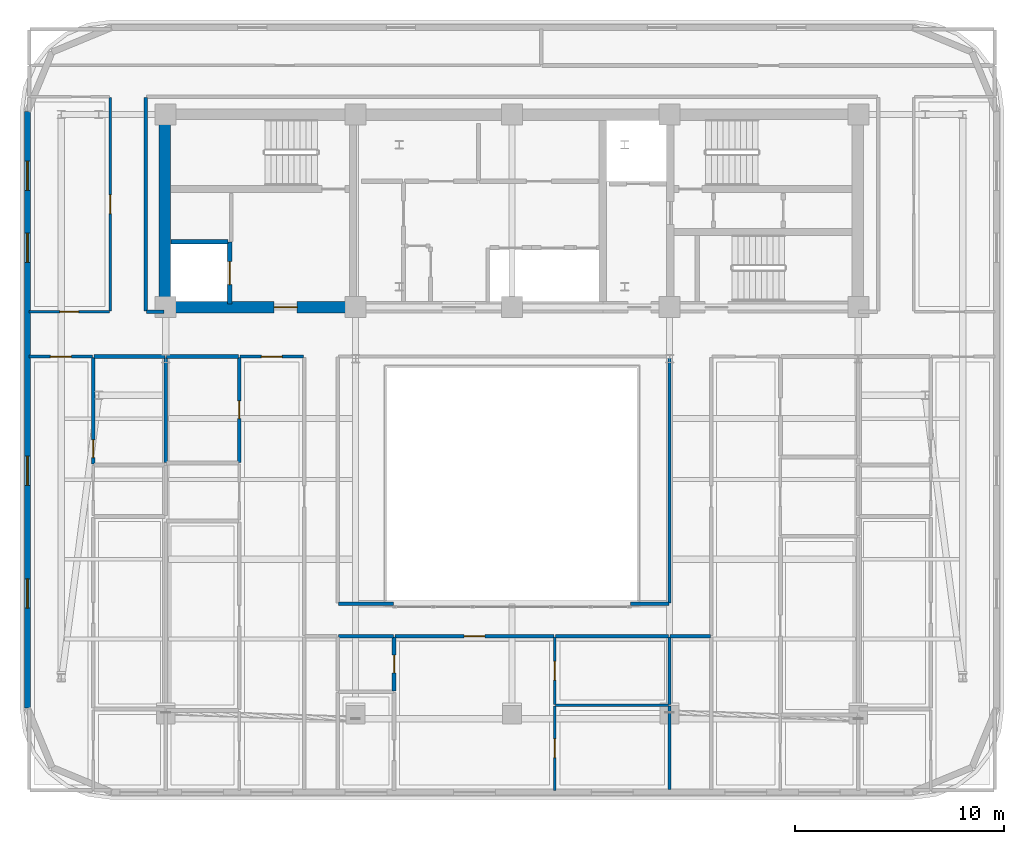
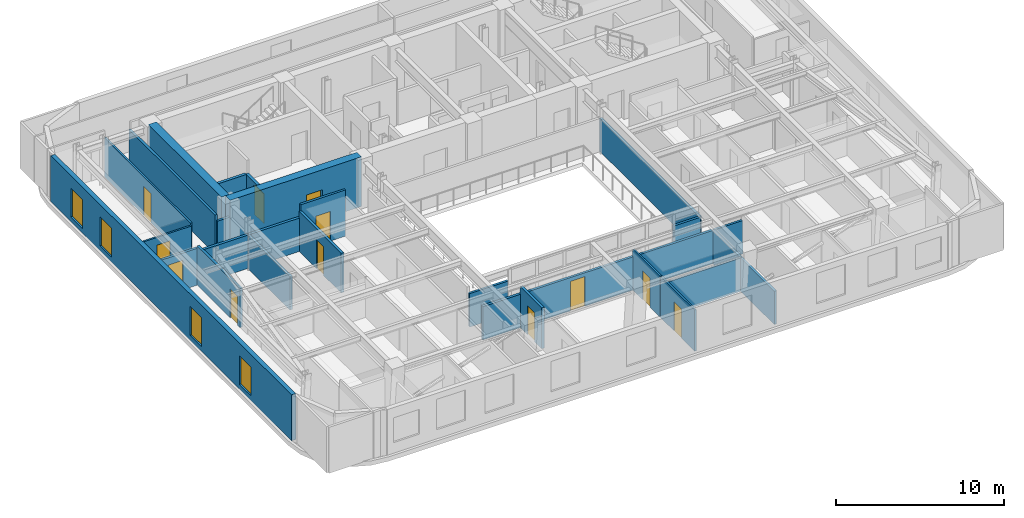
# One storey, part 7 of 15: 29 walls, 12 doors, 4 windows, 16 openings.
"""IFC4 building model written with IfcOpenShell, lengths in metres."""

from ifc_helpers import new_model, si_unit, direction, frame, frame_2d, origin, place, context, subcontext, project, spatial, rectangle, extrude, material, layer, layer_set, type_object, element, fill, save


model = new_model("IFC4")

# Units and contexts
model_context = context("Model", 3, precision=1e-05, world=origin(), true_north=direction((0.0, 1.0)))
body_context = subcontext(model_context, "Body", "Model", "MODEL_VIEW")
ifc_project = project(units=[si_unit("LENGTHUNIT", "METRE"), si_unit("AREAUNIT", "SQUARE_METRE"), si_unit("VOLUMEUNIT", "CUBIC_METRE"), si_unit("PLANEANGLEUNIT", "RADIAN"), si_unit("MASSUNIT", "GRAM", prefix="KILO")], contexts=[model_context])

# Site, building, storey
site_placement = place(None, origin())
site = spatial("IfcSite", under=ifc_project, at=site_placement, CompositionType="ELEMENT")
building_placement = place(site_placement, origin())
building = spatial("IfcBuilding", under=site, at=building_placement, Name="Zarnavel Station Tower", CompositionType="ELEMENT")
storey_placement = place(building_placement, frame((0.0, 0.0, 196.800048828125)))
storey = spatial("IfcBuildingStorey", under=building, at=storey_placement, Name="L53", CompositionType="ELEMENT", Elevation=196.800048828125)

# Wall, opening, door
ifc_material_1 = material(Name="Concrete C50/60", Category="concrete")
ifc_layer_1 = layer(ifc_material_1, 0.550048828125)
ifc_layer_set_1 = layer_set([ifc_layer_1], Name="CW_550")
wall_type_1 = type_object("IfcWallType", Name="CW_550", PredefinedType="SHEAR", material=ifc_layer_set_1)
wall_1_placement = place(storey_placement, frame((21.179931640625, 27.820068359375, 0.0), z_axis=(0.0, 0.0, 1.0), x_axis=(-1.0, 0.0, 0.0)))
wall_1 = element("IfcWall", 1, at=wall_1_placement, inside=storey, type_object=wall_type_1, Name="L53 Rear Core Shear Wall S-W", PredefinedType="SHEAR", context=body_context, shape_type="SweptSolid", body=[
    extrude(rectangle(XDim=9.030029296875, YDim=0.550048828125, at=frame_2d((4.51513671875, 0.0))), origin(), (0.0, 0.0, 1.0), 3.599853515625),
])
opening_1_placement = place(wall_1_placement, frame((2.679931640625, 0.0, 0.0)))
opening_1 = element("IfcOpeningElement", 2, at=opening_1_placement, cuts=wall_1, Name="Opening FD01", PredefinedType="OPENING", context=body_context, shape_type="SweptSolid", body=[
    extrude(rectangle(XDim=1.10009765625, YDim=2.14990234375, at=frame_2d((0.550048828125, 1.074951171875))), frame((0.0, 0.284912109375, 0.0), z_axis=(0.0, -1.0, 0.0), x_axis=(1.0, 0.0, 0.0)), (0.0, 0.0, 1.0), 0.570068359375),
])
ifc_material_2 = material(Name="Painted Galvanised Steel and Hardwood Leaf", Category="steel")
door_type_1 = type_object("IfcDoorType", Name="ID_STAIR_1100", OperationType="NOTDEFINED", PredefinedType="DOOR", material=ifc_material_2)
door_1_placement = place(opening_1_placement, origin())
door_1 = element("IfcDoor", 3, at=door_1_placement, inside=storey, type_object=door_type_1, Name="L53 West Firefighting Lobby Door", OperationType="SINGLE_SWING_RIGHT", OverallHeight=2.14990234375, OverallWidth=1.10009765625, PredefinedType="DOOR", context=body_context, shape_type="SweptSolid", body=[
    extrude(rectangle(XDim=1.10009765625, YDim=2.14990234375, at=frame_2d((0.550048828125, 1.074951171875))), frame((0.0, 0.02490234375, 0.0), z_axis=(0.0, -1.0, 0.0), x_axis=(1.0, 0.0, 0.0)), (0.0, 0.0, 1.0), 0.050048828125),
])
fill(opening_1, door_1)

# Wall
wall_2_placement = place(storey_placement, frame((12.14990234375, 28.094970703125, 0.0), z_axis=(0.0, 0.0, 1.0), x_axis=(0.0, 1.0, 0.0)))
element("IfcWall", 4, at=wall_2_placement, inside=storey, type_object=wall_type_1, Name="L53 Rear Core Shear Wall W", PredefinedType="SHEAR", context=body_context, shape_type="SweptSolid", body=[
    extrude(rectangle(XDim=8.679931640625, YDim=0.550048828125, at=frame_2d((4.33984375, 0.0))), origin(), (0.0, 0.0, 1.0), 3.599853515625),
])

# Wall, openings, windows
ifc_material_3 = material(Name="Precast concrete C45/55 (Dark Basalt Finish)", Category="masonry")
ifc_layer_2 = layer(ifc_material_3, 0.300048828125)
ifc_layer_set_2 = layer_set([ifc_layer_2], Name="EW_BASALT_300")
wall_type_2 = type_object("IfcWallType", Name="EW_BASALT_300", PredefinedType="SOLIDWALL", material=ifc_layer_set_2)
wall_3_placement = place(storey_placement, frame((5.580078125, 8.60009765625, 0.0), z_axis=(0.0, 0.0, 1.0), x_axis=(0.0, 1.0, 0.0)))
wall_3 = element("IfcWall", 5, at=wall_3_placement, inside=storey, type_object=wall_type_2, Name="L53 Exterior Basalt Masonry Frame Wall 09", PredefinedType="SOLIDWALL", context=body_context, shape_type="SweptSolid", body=[
    extrude(rectangle(XDim=28.599853515625, YDim=0.300048828125, at=frame_2d((14.2998046875, 0.0))), origin(), (0.0, 0.0, 1.0), 3.33984375),
])
opening_2_placement = place(wall_3_placement, frame((21.360107421875, 0.0, 0.340087890625)))
opening_2 = element("IfcOpeningElement", 6, at=opening_2_placement, cuts=wall_3, Name="Opening WN04", PredefinedType="OPENING", context=body_context, shape_type="SweptSolid", body=[
    extrude(rectangle(XDim=1.39990234375, YDim=2.10009765625, at=frame_2d((0.699951171875, 1.050048828125))), frame((0.0, 0.159912109375, 0.0), z_axis=(0.0, -1.0, 0.0), x_axis=(1.0, 0.0, 0.0)), (0.0, 0.0, 1.0), 0.320068359375),
])
opening_3_placement = place(wall_3_placement, frame((24.820068359375, 0.0, 0.340087890625)))
opening_3 = element("IfcOpeningElement", 7, at=opening_3_placement, cuts=wall_3, Name="Opening WN04", PredefinedType="OPENING", context=body_context, shape_type="SweptSolid", body=[
    extrude(rectangle(XDim=1.39990234375, YDim=2.10009765625, at=frame_2d((0.699951171875, 1.050048828125))), frame((0.0, 0.159912109375, 0.0), z_axis=(0.0, -1.0, 0.0), x_axis=(1.0, 0.0, 0.0)), (0.0, 0.0, 1.0), 0.320068359375),
])
opening_4_placement = place(wall_3_placement, frame((4.796630859375, 0.0, 0.340087890625)))
opening_4 = element("IfcOpeningElement", 8, at=opening_4_placement, cuts=wall_3, Name="Opening WN04", PredefinedType="OPENING", context=body_context, shape_type="SweptSolid", body=[
    extrude(rectangle(XDim=1.39990234375, YDim=2.10009765625, at=frame_2d((0.699951171875, 1.050048828125))), frame((0.0, 0.159912109375, 0.0), z_axis=(0.0, -1.0, 0.0), x_axis=(1.0, 0.0, 0.0)), (0.0, 0.0, 1.0), 0.320068359375),
])
opening_5_placement = place(wall_3_placement, frame((10.67333984375, 0.0, 0.340087890625)))
opening_5 = element("IfcOpeningElement", 9, at=opening_5_placement, cuts=wall_3, Name="Opening WN04", PredefinedType="OPENING", context=body_context, shape_type="SweptSolid", body=[
    extrude(rectangle(XDim=1.39990234375, YDim=2.10009765625, at=frame_2d((0.699951171875, 1.050048828125))), frame((0.0, 0.159912109375, 0.0), z_axis=(0.0, -1.0, 0.0), x_axis=(1.0, 0.0, 0.0)), (0.0, 0.0, 1.0), 0.320068359375),
])
ifc_material_4 = material(Name="Thermally Broken Black Aluminium and Low-E Dark Glass", Category="aluminium")
window_type = type_object("IfcWindowType", Name="WN_1400x2100", PartitioningType="DOUBLE_PANEL_VERTICAL", PredefinedType="WINDOW", material=ifc_material_4)
window_1_placement = place(opening_2_placement, origin())
window_1 = element("IfcWindow", 10, at=window_1_placement, inside=storey, type_object=window_type, Name="L53 Recessed Facade Window 01", OverallHeight=2.10009765625, OverallWidth=1.39990234375, PartitioningType="SINGLE_PANEL", PredefinedType="WINDOW", context=body_context, shape_type="SweptSolid", body=[
    extrude(rectangle(XDim=1.39990234375, YDim=2.10009765625, at=frame_2d((0.699951171875, 1.050048828125))), frame((0.0, 0.030029296875, 0.0), z_axis=(0.0, -1.0, 0.0), x_axis=(1.0, 0.0, 0.0)), (0.0, 0.0, 1.0), 0.06005859375),
])
fill(opening_2, window_1)
window_2_placement = place(opening_3_placement, origin())
window_2 = element("IfcWindow", 11, at=window_2_placement, inside=storey, type_object=window_type, Name="L53 Recessed Facade Window 02", OverallHeight=2.10009765625, OverallWidth=1.39990234375, PartitioningType="SINGLE_PANEL", PredefinedType="WINDOW", context=body_context, shape_type="SweptSolid", body=[
    extrude(rectangle(XDim=1.39990234375, YDim=2.10009765625, at=frame_2d((0.699951171875, 1.050048828125))), frame((0.0, 0.030029296875, 0.0), z_axis=(0.0, -1.0, 0.0), x_axis=(1.0, 0.0, 0.0)), (0.0, 0.0, 1.0), 0.06005859375),
])
fill(opening_3, window_2)
window_3_placement = place(opening_4_placement, origin())
window_3 = element("IfcWindow", 12, at=window_3_placement, inside=storey, type_object=window_type, Name="L53 Recessed Facade Window 03", OverallHeight=2.10009765625, OverallWidth=1.39990234375, PartitioningType="SINGLE_PANEL", PredefinedType="WINDOW", context=body_context, shape_type="SweptSolid", body=[
    extrude(rectangle(XDim=1.39990234375, YDim=2.10009765625, at=frame_2d((0.699951171875, 1.050048828125))), frame((0.0, 0.030029296875, 0.0), z_axis=(0.0, -1.0, 0.0), x_axis=(1.0, 0.0, 0.0)), (0.0, 0.0, 1.0), 0.06005859375),
])
fill(opening_4, window_3)
window_4_placement = place(opening_5_placement, origin())
window_4 = element("IfcWindow", 13, at=window_4_placement, inside=storey, type_object=window_type, Name="L53 Recessed Facade Window 04", OverallHeight=2.10009765625, OverallWidth=1.39990234375, PartitioningType="SINGLE_PANEL", PredefinedType="WINDOW", context=body_context, shape_type="SweptSolid", body=[
    extrude(rectangle(XDim=1.39990234375, YDim=2.10009765625, at=frame_2d((0.699951171875, 1.050048828125))), frame((0.0, 0.030029296875, 0.0), z_axis=(0.0, -1.0, 0.0), x_axis=(1.0, 0.0, 0.0)), (0.0, 0.0, 1.0), 0.06005859375),
])
fill(opening_5, window_4)

# Wall, opening, door
ifc_material_5 = material(Name="Gypsum Twin-Stud Acoustic Fire Partition", Category="concrete")
ifc_layer_3 = layer(ifc_material_5, 0.159912109375)
ifc_layer_set_3 = layer_set([ifc_layer_3], Name="PT_DEMISE_160")
wall_type_3 = type_object("IfcWallType", Name="PT_DEMISE_160", PredefinedType="PARTITIONING", material=ifc_layer_set_3)
wall_4_placement = place(storey_placement, frame((5.659912109375, 25.449951171875, 0.0), z_axis=(0.0, 0.0, 1.0), x_axis=(1.0, 0.0, 0.0)))
wall_4 = element("IfcWall", 14, at=wall_4_placement, inside=storey, type_object=wall_type_3, Name="L53 Partition COR-S-UW1LV", PredefinedType="PARTITIONING", context=body_context, shape_type="SweptSolid", body=[
    extrude(rectangle(XDim=3.0341796875, YDim=0.159912109375, at=frame_2d((1.51708984375, 0.0))), origin(), (0.0, 0.0, 1.0), 2.669921875),
])
opening_6_placement = place(wall_4_placement, frame((1.01708984375, 0.0, 0.0)))
opening_6 = element("IfcOpeningElement", 15, at=opening_6_placement, cuts=wall_4, Name="Opening FD02", PredefinedType="OPENING", context=body_context, shape_type="SweptSolid", body=[
    extrude(rectangle(XDim=1.0, YDim=2.14990234375, at=frame_2d((0.5, 1.074951171875))), frame((0.0, 0.08984375, 0.0), z_axis=(0.0, -1.0, 0.0), x_axis=(1.0, 0.0, 0.0)), (0.0, 0.0, 1.0), 0.179931640625),
])
ifc_material_6 = material(Name="Painted Galvanised Steel and Hardwood Leaf", Category="steel")
door_type_2 = type_object("IfcDoorType", Name="ID_ENTRY_1000", OperationType="NOTDEFINED", PredefinedType="DOOR", material=ifc_material_6)
door_2_placement = place(opening_6_placement, origin())
door_2 = element("IfcDoor", 16, at=door_2_placement, inside=storey, type_object=door_type_2, Name="L53 Door COR-S-UW1LV", OperationType="SINGLE_SWING_RIGHT", OverallHeight=2.14990234375, OverallWidth=1.0, PredefinedType="DOOR", context=body_context, shape_type="SweptSolid", body=[
    extrude(rectangle(XDim=1.0, YDim=2.14990234375, at=frame_2d((0.5, 1.074951171875))), frame((0.0, 0.02490234375, 0.0), z_axis=(0.0, -1.0, 0.0), x_axis=(1.0, 0.0, 0.0)), (0.0, 0.0, 1.0), 0.050048828125),
])
fill(opening_6, door_2)

wall_5_placement = place(storey_placement, frame((15.764892578125, 25.449951171875, 0.0), z_axis=(0.0, 0.0, 1.0), x_axis=(1.0, 0.0, 0.0)))
wall_5 = element("IfcWall", 17, at=wall_5_placement, inside=storey, type_object=wall_type_3, Name="L53 Partition COR-S-UW2LV", PredefinedType="PARTITIONING", context=body_context, shape_type="SweptSolid", body=[
    extrude(rectangle(XDim=3.045166015625, YDim=0.159912109375, at=frame_2d((1.5224609375, 0.0))), origin(), (0.0, 0.0, 1.0), 3.33984375),
])
opening_7_placement = place(wall_5_placement, frame((1.0224609375, 0.0, 0.0)))
opening_7 = element("IfcOpeningElement", 18, at=opening_7_placement, cuts=wall_5, Name="Opening FD02", PredefinedType="OPENING", context=body_context, shape_type="SweptSolid", body=[
    extrude(rectangle(XDim=1.0, YDim=2.14990234375, at=frame_2d((0.5, 1.074951171875))), frame((0.0, 0.08984375, 0.0), z_axis=(0.0, -1.0, 0.0), x_axis=(1.0, 0.0, 0.0)), (0.0, 0.0, 1.0), 0.179931640625),
])
door_3_placement = place(opening_7_placement, origin())
door_3 = element("IfcDoor", 19, at=door_3_placement, inside=storey, type_object=door_type_2, Name="L53 Door COR-S-UW2LV", OperationType="SINGLE_SWING_LEFT", OverallHeight=2.14990234375, OverallWidth=1.0, PredefinedType="DOOR", context=body_context, shape_type="SweptSolid", body=[
    extrude(rectangle(XDim=1.0, YDim=2.14990234375, at=frame_2d((0.5, 1.074951171875))), frame((0.0, 0.02490234375, 0.0), z_axis=(0.0, -1.0, 0.0), x_axis=(1.0, 0.0, 0.0)), (0.0, 0.0, 1.0), 0.050048828125),
])
fill(opening_7, door_3)

wall_6_placement = place(storey_placement, frame((23.18994140625, 12.050048828125, 0.0), z_axis=(0.0, 0.0, 1.0), x_axis=(1.0, 0.0, 0.0)))
wall_6 = element("IfcWall", 20, at=wall_6_placement, inside=storey, type_object=wall_type_3, Name="L53 Partition COR-AS-US1LV", PredefinedType="PARTITIONING", context=body_context, shape_type="SweptSolid", body=[
    extrude(rectangle(XDim=7.6201171875, YDim=0.159912109375, at=frame_2d((3.81005859375, 0.0))), origin(), (0.0, 0.0, 1.0), 2.419921875),
])
opening_8_placement = place(wall_6_placement, frame((3.31005859375, 0.0, 0.0)))
opening_8 = element("IfcOpeningElement", 21, at=opening_8_placement, cuts=wall_6, Name="Opening FD02", PredefinedType="OPENING", context=body_context, shape_type="SweptSolid", body=[
    extrude(rectangle(XDim=1.0, YDim=2.14990234375, at=frame_2d((0.5, 1.074951171875))), frame((0.0, 0.08984375, 0.0), z_axis=(0.0, -1.0, 0.0), x_axis=(1.0, 0.0, 0.0)), (0.0, 0.0, 1.0), 0.179931640625),
])
door_4_placement = place(opening_8_placement, origin())
door_4 = element("IfcDoor", 22, at=door_4_placement, inside=storey, type_object=door_type_2, Name="L53 Door COR-AS-US1LV", OperationType="SINGLE_SWING_RIGHT", OverallHeight=2.14990234375, OverallWidth=1.0, PredefinedType="DOOR", context=body_context, shape_type="SweptSolid", body=[
    extrude(rectangle(XDim=1.0, YDim=2.14990234375, at=frame_2d((0.5, 1.074951171875))), frame((0.0, 0.02490234375, 0.0), z_axis=(0.0, -1.0, 0.0), x_axis=(1.0, 0.0, 0.0)), (0.0, 0.0, 1.0), 0.050048828125),
])
fill(opening_8, door_4)

# Walls
wall_7_placement = place(storey_placement, frame((30.889892578125, 12.050048828125, 0.0), z_axis=(0.0, 0.0, 1.0), x_axis=(1.0, 0.0, 0.0)))
element("IfcWall", 23, at=wall_7_placement, inside=storey, type_object=wall_type_3, Name="L53 Partition COR-AS-US1B2", PredefinedType="PARTITIONING", context=body_context, shape_type="SweptSolid", body=[
    extrude(rectangle(XDim=5.420166015625, YDim=0.159912109375, at=frame_2d((2.7099609375, 0.0))), origin(), (0.0, 0.0, 1.0), 2.419921875),
])
wall_8_placement = place(storey_placement, frame((11.280029296875, 27.60009765625, 0.0), z_axis=(0.0, 0.0, 1.0), x_axis=(1.0, 0.0, 0.0)))
element("IfcWall", 24, at=wall_8_placement, inside=storey, type_object=wall_type_3, Name="L53 Enclosure Wall COR-S", PredefinedType="PARTITIONING", context=body_context, shape_type="SweptSolid", body=[
    extrude(rectangle(XDim=0.840087890625, YDim=0.159912109375, at=frame_2d((0.419921875, 0.0))), origin(), (0.0, 0.0, 1.0), 2.409912109375),
])
wall_9_placement = place(storey_placement, frame((36.3798828125, 12.050048828125, 0.0), z_axis=(0.0, 0.0, 1.0), x_axis=(1.0, 0.0, 0.0)))
element("IfcWall", 25, at=wall_9_placement, inside=storey, type_object=wall_type_3, Name="L53 Enclosure Wall COR-AE", PredefinedType="PARTITIONING", context=body_context, shape_type="SweptSolid", body=[
    extrude(rectangle(XDim=1.940185546875, YDim=0.159912109375, at=frame_2d((0.97021484375, 0.0))), origin(), (0.0, 0.0, 1.0), 2.419921875),
])
wall_10_placement = place(storey_placement, frame((36.35009765625, 13.6298828125, 0.0), z_axis=(0.0, 0.0, 1.0), x_axis=(0.0, 1.0, 0.0)))
element("IfcWall", 26, at=wall_10_placement, inside=storey, type_object=wall_type_3, Name="L53 Enclosure Wall COR-AE", PredefinedType="PARTITIONING", context=body_context, shape_type="SweptSolid", body=[
    extrude(rectangle(XDim=11.7900390625, YDim=0.159912109375, at=frame_2d((5.89501953125, 0.0))), origin(), (0.0, 0.0, 1.0), 2.419921875),
])
wall_11_placement = place(storey_placement, frame((20.47998046875, 13.60009765625, 0.0), z_axis=(0.0, 0.0, 1.0), x_axis=(1.0, 0.0, 0.0)))
element("IfcWall", 27, at=wall_11_placement, inside=storey, type_object=wall_type_3, Name="L53 Enclosure Wall COR-AS", PredefinedType="PARTITIONING", context=body_context, shape_type="SweptSolid", body=[
    extrude(rectangle(XDim=2.64013671875, YDim=0.159912109375, at=frame_2d((1.320068359375, 0.0))), origin(), (0.0, 0.0, 1.0), 2.419921875),
])
wall_12_placement = place(storey_placement, frame((34.47998046875, 13.60009765625, 0.0), z_axis=(0.0, 0.0, 1.0), x_axis=(1.0, 0.0, 0.0)))
element("IfcWall", 28, at=wall_12_placement, inside=storey, type_object=wall_type_3, Name="L53 Enclosure Wall COR-AS", PredefinedType="PARTITIONING", context=body_context, shape_type="SweptSolid", body=[
    extrude(rectangle(XDim=1.840087890625, YDim=0.159912109375, at=frame_2d((0.919921875, 0.0))), origin(), (0.0, 0.0, 1.0), 2.419921875),
])
wall_13_placement = place(storey_placement, frame((11.25, 27.6298828125, 0.0), z_axis=(0.0, 0.0, 1.0), x_axis=(0.0, 1.0, 0.0)))
element("IfcWall", 29, at=wall_13_placement, inside=storey, type_object=wall_type_3, Name="L53 Enclosure Wall COR-W", PredefinedType="PARTITIONING", context=body_context, shape_type="SweptSolid", body=[
    extrude(rectangle(XDim=10.240234375, YDim=0.159912109375, at=frame_2d((5.1201171875, 0.0))), origin(), (0.0, 0.0, 1.0), 2.820068359375),
])
wall_14_placement = place(storey_placement, frame((36.35009765625, 4.68994140625, 0.0), z_axis=(0.0, 0.0, 1.0), x_axis=(0.0, 1.0, 0.0)))
element("IfcWall", 30, at=wall_14_placement, inside=storey, type_object=wall_type_3, Name="L53 Enclosure Wall US1B1", PredefinedType="PARTITIONING", context=body_context, shape_type="SweptSolid", body=[
    extrude(rectangle(XDim=4.01513671875, YDim=0.159912109375, at=frame_2d((2.007568359375, 0.0))), origin(), (0.0, 0.0, 1.0), 2.419921875),
])
wall_15_placement = place(storey_placement, frame((36.35009765625, 8.764892578125, 0.0), z_axis=(0.0, 0.0, 1.0), x_axis=(0.0, 1.0, 0.0)))
element("IfcWall", 31, at=wall_15_placement, inside=storey, type_object=wall_type_3, Name="L53 Enclosure Wall US1B2", PredefinedType="PARTITIONING", context=body_context, shape_type="SweptSolid", body=[
    extrude(rectangle(XDim=3.255126953125, YDim=0.159912109375, at=frame_2d((1.62744140625, 0.0))), origin(), (0.0, 0.0, 1.0), 2.419921875),
])

# Wall, opening, door
ifc_material_7 = material(Name="Gypsum Metal-Stud Interior Partition", Category="concrete")
ifc_layer_4 = layer(ifc_material_7, 0.1201171875)
ifc_layer_set_4 = layer_set([ifc_layer_4], Name="PT_ROOM_120")
wall_type_4 = type_object("IfcWallType", Name="PT_ROOM_120", PredefinedType="PARTITIONING", material=ifc_layer_set_4)
wall_16_placement = place(storey_placement, frame((5.659912109375, 27.60009765625, 0.0), z_axis=(0.0, 0.0, 1.0), x_axis=(1.0, 0.0, 0.0)))
wall_16 = element("IfcWall", 32, at=wall_16_placement, inside=storey, type_object=wall_type_4, Name="L53 Partition COR-S-FNW", PredefinedType="PARTITIONING", context=body_context, shape_type="SweptSolid", body=[
    extrude(rectangle(XDim=3.85009765625, YDim=0.1201171875, at=frame_2d((1.925048828125, 0.0))), origin(), (0.0, 0.0, 1.0), 2.669921875),
])
opening_9_placement = place(wall_16_placement, frame((1.47509765625, 0.0, 0.0)))
opening_9 = element("IfcOpeningElement", 33, at=opening_9_placement, cuts=wall_16, Name="Opening ID01", PredefinedType="OPENING", context=body_context, shape_type="SweptSolid", body=[
    extrude(rectangle(XDim=0.89990234375, YDim=2.10009765625, at=frame_2d((0.449951171875, 1.050048828125))), frame((0.0, 0.070068359375, 0.0), z_axis=(0.0, -1.0, 0.0), x_axis=(1.0, 0.0, 0.0)), (0.0, 0.0, 1.0), 0.14013671875),
])
ifc_material_8 = material(Name="Painted Galvanised Steel and Hardwood Leaf", Category="steel")
door_type_3 = type_object("IfcDoorType", Name="ID_ROOM_900", OperationType="NOTDEFINED", PredefinedType="DOOR", material=ifc_material_8)
door_5_placement = place(opening_9_placement, origin())
door_5 = element("IfcDoor", 34, at=door_5_placement, inside=storey, type_object=door_type_3, Name="L53 Door COR-S-FNW", OperationType="SINGLE_SWING_RIGHT", OverallHeight=2.10009765625, OverallWidth=0.89990234375, PredefinedType="DOOR", context=body_context, shape_type="SweptSolid", body=[
    extrude(rectangle(XDim=0.89990234375, YDim=2.10009765625, at=frame_2d((0.449951171875, 1.050048828125))), frame((0.0, 0.02490234375, 0.0), z_axis=(0.0, -1.0, 0.0), x_axis=(1.0, 0.0, 0.0)), (0.0, 0.0, 1.0), 0.050048828125),
])
fill(opening_9, door_5)

wall_17_placement = place(storey_placement, frame((9.550048828125, 27.639892578125, 0.0), z_axis=(0.0, 0.0, 1.0), x_axis=(0.0, 1.0, 0.0)))
wall_17 = element("IfcWall", 35, at=wall_17_placement, inside=storey, type_object=wall_type_4, Name="L53 Partition COR-W-FNW", PredefinedType="PARTITIONING", context=body_context, shape_type="SweptSolid", body=[
    extrude(rectangle(XDim=10.22021484375, YDim=0.1201171875, at=frame_2d((5.110107421875, 0.0))), origin(), (0.0, 0.0, 1.0), 2.820068359375),
])
opening_10_placement = place(wall_17_placement, frame((4.659912109375, 0.0, 0.0)))
opening_10 = element("IfcOpeningElement", 36, at=opening_10_placement, cuts=wall_17, Name="Opening ID01", PredefinedType="OPENING", context=body_context, shape_type="SweptSolid", body=[
    extrude(rectangle(XDim=0.89990234375, YDim=2.10009765625, at=frame_2d((0.449951171875, 1.050048828125))), frame((0.0, 0.070068359375, 0.0), z_axis=(0.0, -1.0, 0.0), x_axis=(1.0, 0.0, 0.0)), (0.0, 0.0, 1.0), 0.14013671875),
])
door_6_placement = place(opening_10_placement, origin())
door_6 = element("IfcDoor", 37, at=door_6_placement, inside=storey, type_object=door_type_3, Name="L53 Door COR-W-FNW", OperationType="SINGLE_SWING_LEFT", OverallHeight=2.10009765625, OverallWidth=0.89990234375, PredefinedType="DOOR", context=body_context, shape_type="SweptSolid", body=[
    extrude(rectangle(XDim=0.89990234375, YDim=2.10009765625, at=frame_2d((0.449951171875, 1.050048828125))), frame((0.0, 0.02490234375, 0.0), z_axis=(0.0, -1.0, 0.0), x_axis=(1.0, 0.0, 0.0)), (0.0, 0.0, 1.0), 0.050048828125),
])
fill(opening_10, door_6)

wall_18_placement = place(storey_placement, frame((30.85009765625, 4.659912109375, 0.0), z_axis=(0.0, 0.0, 1.0), x_axis=(0.0, 1.0, 0.0)))
wall_18 = element("IfcWall", 38, at=wall_18_placement, inside=storey, type_object=wall_type_4, Name="L53 Partition US1LV-US1B1", PredefinedType="PARTITIONING", context=body_context, shape_type="SweptSolid", body=[
    extrude(rectangle(XDim=4.03515625, YDim=0.1201171875, at=frame_2d((2.017578125, 0.0))), origin(), (0.0, 0.0, 1.0), 3.0),
])
opening_11_placement = place(wall_18_placement, frame((1.5673828125, 0.0, 0.0)))
opening_11 = element("IfcOpeningElement", 39, at=opening_11_placement, cuts=wall_18, Name="Opening ID01", PredefinedType="OPENING", context=body_context, shape_type="SweptSolid", body=[
    extrude(rectangle(XDim=0.89990234375, YDim=2.10009765625, at=frame_2d((0.449951171875, 1.050048828125))), frame((0.0, 0.070068359375, 0.0), z_axis=(0.0, -1.0, 0.0), x_axis=(1.0, 0.0, 0.0)), (0.0, 0.0, 1.0), 0.14013671875),
])
door_7_placement = place(opening_11_placement, origin())
door_7 = element("IfcDoor", 40, at=door_7_placement, inside=storey, type_object=door_type_3, Name="L53 Door US1LV-US1B1", OperationType="SINGLE_SWING_LEFT", OverallHeight=2.10009765625, OverallWidth=0.89990234375, PredefinedType="DOOR", context=body_context, shape_type="SweptSolid", body=[
    extrude(rectangle(XDim=0.89990234375, YDim=2.10009765625, at=frame_2d((0.449951171875, 1.050048828125))), frame((0.0, 0.02490234375, 0.0), z_axis=(0.0, -1.0, 0.0), x_axis=(1.0, 0.0, 0.0)), (0.0, 0.0, 1.0), 0.050048828125),
])
fill(opening_11, door_7)

wall_19_placement = place(storey_placement, frame((30.85009765625, 8.77490234375, 0.0), z_axis=(0.0, 0.0, 1.0), x_axis=(0.0, 1.0, 0.0)))
wall_19 = element("IfcWall", 41, at=wall_19_placement, inside=storey, type_object=wall_type_4, Name="L53 Partition US1LV-US1B2", PredefinedType="PARTITIONING", context=body_context, shape_type="SweptSolid", body=[
    extrude(rectangle(XDim=3.235107421875, YDim=0.1201171875, at=frame_2d((1.61767578125, 0.0))), origin(), (0.0, 0.0, 1.0), 2.9599609375),
])
opening_12_placement = place(wall_19_placement, frame((1.16748046875, 0.0, 0.0)))
opening_12 = element("IfcOpeningElement", 42, at=opening_12_placement, cuts=wall_19, Name="Opening ID01", PredefinedType="OPENING", context=body_context, shape_type="SweptSolid", body=[
    extrude(rectangle(XDim=0.89990234375, YDim=2.10009765625, at=frame_2d((0.449951171875, 1.050048828125))), frame((0.0, 0.070068359375, 0.0), z_axis=(0.0, -1.0, 0.0), x_axis=(1.0, 0.0, 0.0)), (0.0, 0.0, 1.0), 0.14013671875),
])
door_8_placement = place(opening_12_placement, origin())
door_8 = element("IfcDoor", 43, at=door_8_placement, inside=storey, type_object=door_type_3, Name="L53 Door US1LV-US1B2", OperationType="SINGLE_SWING_RIGHT", OverallHeight=2.10009765625, OverallWidth=0.89990234375, PredefinedType="DOOR", context=body_context, shape_type="SweptSolid", body=[
    extrude(rectangle(XDim=0.89990234375, YDim=2.10009765625, at=frame_2d((0.449951171875, 1.050048828125))), frame((0.0, 0.02490234375, 0.0), z_axis=(0.0, -1.0, 0.0), x_axis=(1.0, 0.0, 0.0)), (0.0, 0.0, 1.0), 0.050048828125),
])
fill(opening_12, door_8)

# Wall
wall_20_placement = place(storey_placement, frame((30.889892578125, 8.735107421875, 0.0), z_axis=(0.0, 0.0, 1.0), x_axis=(1.0, 0.0, 0.0)))
element("IfcWall", 44, at=wall_20_placement, inside=storey, type_object=wall_type_4, Name="L53 Partition US1B1-US1B2", PredefinedType="PARTITIONING", context=body_context, shape_type="SweptSolid", body=[
    extrude(rectangle(XDim=5.420166015625, YDim=0.1201171875, at=frame_2d((2.7099609375, 0.0))), origin(), (0.0, 0.0, 1.0), 2.419921875),
])

# Wall, opening, door
ifc_material_9 = material(Name="Precast concrete C45/55 (Fire Shaft Blockwork)", Category="masonry")
ifc_layer_5 = layer(ifc_material_9, 0.199951171875)
ifc_layer_set_5 = layer_set([ifc_layer_5], Name="PT_SHAFT_200")
wall_type_5 = type_object("IfcWallType", Name="PT_SHAFT_200", PredefinedType="PARTITIONING", material=ifc_layer_set_5)
wall_21_placement = place(storey_placement, frame((15.27001953125, 27.969970703125, 0.0), z_axis=(0.0, 0.0, 1.0), x_axis=(0.0, 1.0, 0.0)))
wall_21 = element("IfcWall", 45, at=wall_21_placement, inside=storey, type_object=wall_type_5, Name="L53 Lift FFL-01 Shaft Front Wall", PredefinedType="PARTITIONING", context=body_context, shape_type="SweptSolid", body=[
    extrude(rectangle(XDim=2.9599609375, YDim=0.199951171875, at=frame_2d((1.47998046875, 0.0))), origin(), (0.0, 0.0, 1.0), 2.409912109375),
])
opening_13_placement = place(wall_21_placement, frame((0.929931640625, 0.0, 0.0)))
opening_13 = element("IfcOpeningElement", 46, at=opening_13_placement, cuts=wall_21, Name="Opening LD01", PredefinedType="OPENING", context=body_context, shape_type="SweptSolid", body=[
    extrude(rectangle(XDim=1.10009765625, YDim=2.14990234375, at=frame_2d((0.550048828125, 1.074951171875))), frame((0.0, 0.10986328125, 0.0), z_axis=(0.0, -1.0, 0.0), x_axis=(1.0, 0.0, 0.0)), (0.0, 0.0, 1.0), 0.219970703125),
])
ifc_material_10 = material(Name="Painted Galvanised Steel and Hardwood Leaf", Category="steel")
door_type_4 = type_object("IfcDoorType", Name="LD_FF_1100", OperationType="DOUBLE_DOOR_SLIDING", PredefinedType="DOOR", material=ifc_material_10)
door_9_placement = place(opening_13_placement, origin())
door_9 = element("IfcDoor", 47, at=door_9_placement, inside=storey, type_object=door_type_4, Name="L53 Lift FFL-01 Sliding Landing Door", OperationType="DOUBLE_DOOR_SLIDING", OverallHeight=2.14990234375, OverallWidth=1.10009765625, PredefinedType="DOOR", context=body_context, shape_type="SweptSolid", body=[
    extrude(rectangle(XDim=1.10009765625, YDim=2.14990234375, at=frame_2d((0.550048828125, 1.074951171875))), frame((0.0, 0.02490234375, 0.0), z_axis=(0.0, -1.0, 0.0), x_axis=(1.0, 0.0, 0.0)), (0.0, 0.0, 1.0), 0.050048828125),
])
fill(opening_13, door_9)

# Walls
wall_22_placement = place(storey_placement, frame((12.449951171875, 30.949951171875, 0.0), z_axis=(0.0, 0.0, 1.0), x_axis=(1.0, 0.0, 0.0)))
element("IfcWall", 48, at=wall_22_placement, inside=storey, type_object=wall_type_5, Name="L53 Lift FFL-01 North Shaft Wall", PredefinedType="PARTITIONING", context=body_context, shape_type="SweptSolid", body=[
    extrude(rectangle(XDim=2.75, YDim=0.199951171875, at=frame_2d((1.375, 0.0))), origin(), (0.0, 0.0, 1.0), 2.409912109375),
])
ifc_material_11 = material(Name="Moisture-Resistant Plumbing Chase Wall", Category="concrete")
ifc_layer_6 = layer(ifc_material_11, 0.179931640625)
ifc_layer_set_6 = layer_set([ifc_layer_6], Name="PW_PLUMB_180")
wall_type_6 = type_object("IfcWallType", Name="PW_PLUMB_180", PredefinedType="PLUMBINGWALL", material=ifc_layer_set_6)
wall_23_placement = place(storey_placement, frame((8.77392578125, 25.449951171875, 0.0), z_axis=(0.0, 0.0, 1.0), x_axis=(1.0, 0.0, 0.0)))
element("IfcWall", 49, at=wall_23_placement, inside=storey, type_object=wall_type_6, Name="L53 Partition COR-S-UW1BA", PredefinedType="PLUMBINGWALL", context=body_context, shape_type="SweptSolid", body=[
    extrude(rectangle(XDim=3.385986328125, YDim=0.179931640625, at=frame_2d((1.69287109375, 0.0))), origin(), (0.0, 0.0, 1.0), 2.419921875),
])
wall_24_placement = place(storey_placement, frame((12.239990234375, 25.449951171875, 0.0), z_axis=(0.0, 0.0, 1.0), x_axis=(1.0, 0.0, 0.0)))
element("IfcWall", 50, at=wall_24_placement, inside=storey, type_object=wall_type_6, Name="L53 Partition COR-S-UW2BA", PredefinedType="PLUMBINGWALL", context=body_context, shape_type="SweptSolid", body=[
    extrude(rectangle(XDim=3.445068359375, YDim=0.179931640625, at=frame_2d((1.72265625, 0.0))), origin(), (0.0, 0.0, 1.0), 2.419921875),
])
wall_25_placement = place(storey_placement, frame((20.489990234375, 12.050048828125, 0.0), z_axis=(0.0, 0.0, 1.0), x_axis=(1.0, 0.0, 0.0)))
element("IfcWall", 51, at=wall_25_placement, inside=storey, type_object=wall_type_6, Name="L53 Partition COR-AS-US1BA", PredefinedType="PLUMBINGWALL", context=body_context, shape_type="SweptSolid", body=[
    extrude(rectangle(XDim=2.6201171875, YDim=0.179931640625, at=frame_2d((1.31005859375, 0.0))), origin(), (0.0, 0.0, 1.0), 2.419921875),
])

# Wall, opening, door
wall_26_placement = place(storey_placement, frame((8.73388671875, 20.297119140625, 0.0), z_axis=(0.0, 0.0, 1.0), x_axis=(0.0, 1.0, 0.0)))
wall_26 = element("IfcWall", 52, at=wall_26_placement, inside=storey, type_object=wall_type_6, Name="L53 Partition UW1LV-UW1BA", PredefinedType="PLUMBINGWALL", context=body_context, shape_type="SweptSolid", body=[
    extrude(rectangle(XDim=5.11279296875, YDim=0.179931640625, at=frame_2d((2.556396484375, 0.0))), origin(), (0.0, 0.0, 1.0), 2.820068359375),
])
opening_14_placement = place(wall_26_placement, frame((0.305908203125, 0.0, 0.0)))
opening_14 = element("IfcOpeningElement", 53, at=opening_14_placement, cuts=wall_26, Name="Opening ID02", PredefinedType="OPENING", context=body_context, shape_type="SweptSolid", body=[
    extrude(rectangle(XDim=0.85009765625, YDim=2.10009765625, at=frame_2d((0.425048828125, 1.050048828125))), frame((0.0, 0.099853515625, 0.0), z_axis=(0.0, -1.0, 0.0), x_axis=(1.0, 0.0, 0.0)), (0.0, 0.0, 1.0), 0.199951171875),
])
ifc_material_12 = material(Name="Painted Galvanised Steel and Hardwood Leaf", Category="steel")
door_type_5 = type_object("IfcDoorType", Name="ID_BATH_850", OperationType="NOTDEFINED", PredefinedType="DOOR", material=ifc_material_12)
door_10_placement = place(opening_14_placement, origin())
door_10 = element("IfcDoor", 54, at=door_10_placement, inside=storey, type_object=door_type_5, Name="L53 Door UW1LV-UW1BA", OperationType="SINGLE_SWING_RIGHT", OverallHeight=2.10009765625, OverallWidth=0.85009765625, PredefinedType="DOOR", context=body_context, shape_type="SweptSolid", body=[
    extrude(rectangle(XDim=0.85009765625, YDim=2.10009765625, at=frame_2d((0.425048828125, 1.050048828125))), frame((0.0, 0.02490234375, 0.0), z_axis=(0.0, -1.0, 0.0), x_axis=(1.0, 0.0, 0.0)), (0.0, 0.0, 1.0), 0.050048828125),
])
fill(opening_14, door_10)

# Wall
wall_27_placement = place(storey_placement, frame((12.199951171875, 20.384033203125, 0.0), z_axis=(0.0, 0.0, 1.0), x_axis=(0.0, 1.0, 0.0)))
element("IfcWall", 55, at=wall_27_placement, inside=storey, type_object=wall_type_6, Name="L53 Partition UW1BA-UW2BA", PredefinedType="PLUMBINGWALL", context=body_context, shape_type="SweptSolid", body=[
    extrude(rectangle(XDim=5.02587890625, YDim=0.179931640625, at=frame_2d((2.512939453125, 0.0))), origin(), (0.0, 0.0, 1.0), 2.419921875),
])

# Wall, opening, door
wall_28_placement = place(storey_placement, frame((15.72509765625, 20.384033203125, 0.0), z_axis=(0.0, 0.0, 1.0), x_axis=(0.0, 1.0, 0.0)))
wall_28 = element("IfcWall", 56, at=wall_28_placement, inside=storey, type_object=wall_type_6, Name="L53 Partition UW2LV-UW2BA", PredefinedType="PLUMBINGWALL", context=body_context, shape_type="SweptSolid", body=[
    extrude(rectangle(XDim=5.02587890625, YDim=0.179931640625, at=frame_2d((2.512939453125, 0.0))), origin(), (0.0, 0.0, 1.0), 2.8798828125),
])
opening_15_placement = place(wall_28_placement, frame((2.087890625, 0.0, 0.0)))
opening_15 = element("IfcOpeningElement", 57, at=opening_15_placement, cuts=wall_28, Name="Opening ID02", PredefinedType="OPENING", context=body_context, shape_type="SweptSolid", body=[
    extrude(rectangle(XDim=0.85009765625, YDim=2.10009765625, at=frame_2d((0.425048828125, 1.050048828125))), frame((0.0, 0.099853515625, 0.0), z_axis=(0.0, -1.0, 0.0), x_axis=(1.0, 0.0, 0.0)), (0.0, 0.0, 1.0), 0.199951171875),
])
door_11_placement = place(opening_15_placement, origin())
door_11 = element("IfcDoor", 58, at=door_11_placement, inside=storey, type_object=door_type_5, Name="L53 Door UW2LV-UW2BA", OperationType="SINGLE_SWING_RIGHT", OverallHeight=2.10009765625, OverallWidth=0.85009765625, PredefinedType="DOOR", context=body_context, shape_type="SweptSolid", body=[
    extrude(rectangle(XDim=0.85009765625, YDim=2.10009765625, at=frame_2d((0.425048828125, 1.050048828125))), frame((0.0, 0.02490234375, 0.0), z_axis=(0.0, -1.0, 0.0), x_axis=(1.0, 0.0, 0.0)), (0.0, 0.0, 1.0), 0.050048828125),
])
fill(opening_15, door_11)

wall_29_placement = place(storey_placement, frame((23.14990234375, 9.429931640625, 0.0), z_axis=(0.0, 0.0, 1.0), x_axis=(0.0, 1.0, 0.0)))
wall_29 = element("IfcWall", 59, at=wall_29_placement, inside=storey, type_object=wall_type_6, Name="L53 Partition US1LV-US1BA", PredefinedType="PLUMBINGWALL", context=body_context, shape_type="SweptSolid", body=[
    extrude(rectangle(XDim=2.580078125, YDim=0.179931640625, at=frame_2d((1.2900390625, 0.0))), origin(), (0.0, 0.0, 1.0), 2.9599609375),
])
opening_16_placement = place(wall_29_placement, frame((0.864990234375, 0.0, 0.0)))
opening_16 = element("IfcOpeningElement", 60, at=opening_16_placement, cuts=wall_29, Name="Opening ID02", PredefinedType="OPENING", context=body_context, shape_type="SweptSolid", body=[
    extrude(rectangle(XDim=0.85009765625, YDim=2.10009765625, at=frame_2d((0.425048828125, 1.050048828125))), frame((0.0, 0.099853515625, 0.0), z_axis=(0.0, -1.0, 0.0), x_axis=(1.0, 0.0, 0.0)), (0.0, 0.0, 1.0), 0.199951171875),
])
door_12_placement = place(opening_16_placement, origin())
door_12 = element("IfcDoor", 61, at=door_12_placement, inside=storey, type_object=door_type_5, Name="L53 Door US1LV-US1BA", OperationType="SINGLE_SWING_RIGHT", OverallHeight=2.10009765625, OverallWidth=0.85009765625, PredefinedType="DOOR", context=body_context, shape_type="SweptSolid", body=[
    extrude(rectangle(XDim=0.85009765625, YDim=2.10009765625, at=frame_2d((0.425048828125, 1.050048828125))), frame((0.0, 0.02490234375, 0.0), z_axis=(0.0, -1.0, 0.0), x_axis=(1.0, 0.0, 0.0)), (0.0, 0.0, 1.0), 0.050048828125),
])
fill(opening_16, door_12)

save(model, "model.ifc")
